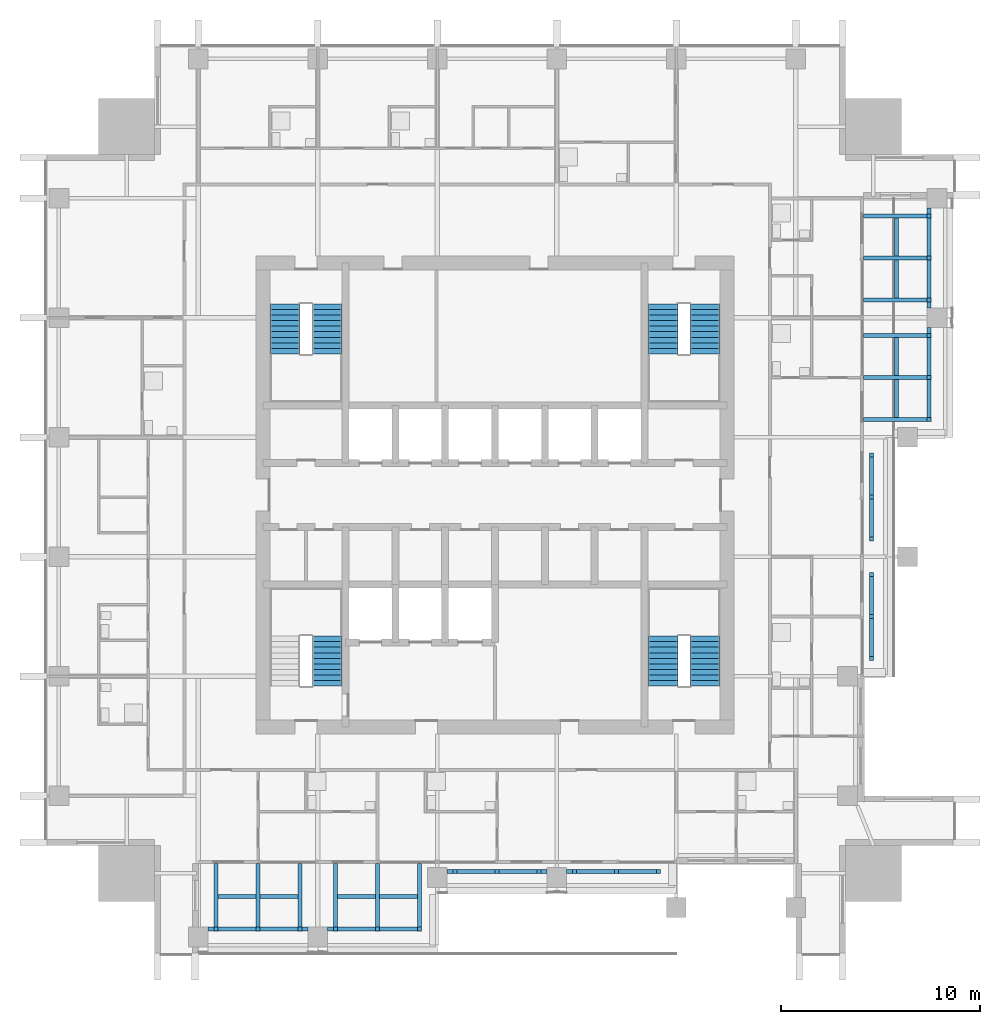
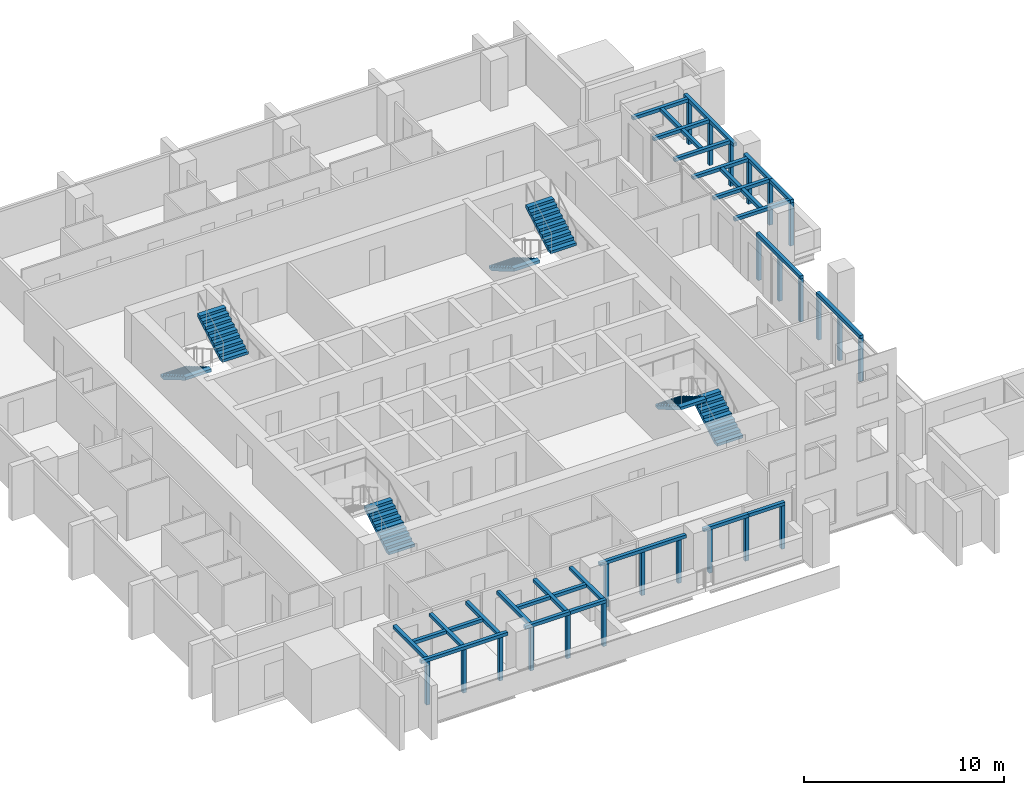
# One storey, part 13 of 16: 55 discrete accessories, 7 stair flights, 4 elements without a shape of their own.
"""IFC4 building model written with IfcOpenShell, lengths in metres."""

import ifcopenshell
import ifcopenshell.guid

model = None  # the IFC model being written
_history = None  # IfcOwnerHistory: only IFC2X3 demands one
_inside = {}  # id of a spatial element -> (the spatial element, [elements in it])
_under = {}  # id of a project, library or spatial element -> (it, [spatial elements below it])
_declared = {}  # id of a project -> (the project, [libraries it declares])
_typed = {}  # id of a type object -> (the type object, [elements of that type])
_made_of = {}  # id of a material, layer set ... -> (it, [elements and type objects made of it])


def new_model(schema):
    """Start an empty IFC model of exactly this schema.

    Asked for "IFC4X3", IfcOpenShell would pick the latest addendum, in which some entities
    have other attributes; the version numbers below select the first issue.
    IFC2X3 requires an IfcOwnerHistory on every rooted entity: one is made here for all.
    """
    global model, _history
    if schema == "IFC4X3":
        model = ifcopenshell.file(schema_version=(4, 3, 0, 0))
    else:
        model = ifcopenshell.file(schema=schema)
    _inside.clear()
    _under.clear()
    _declared.clear()
    _typed.clear()
    _made_of.clear()
    _history = None
    if model.schema == "IFC2X3":
        org = make("IfcOrganization", Name="unknown")
        user = make(
            "IfcPersonAndOrganization",
            ThePerson=make("IfcPerson", FamilyName="unknown"),
            TheOrganization=org,
        )
        app = make(
            "IfcApplication",
            ApplicationDeveloper=org,
            Version="unknown",
            ApplicationFullName="unknown",
            ApplicationIdentifier="unknown",
        )
        _history = make(
            "IfcOwnerHistory",
            OwningUser=user,
            OwningApplication=app,
            ChangeAction="ADDED",
            CreationDate=0,
        )
    return model


def make(cls, **values):
    """One entity of the class cls with the attributes given. An attribute that is None is left unset."""
    return model.create_entity(
        cls, **{name: value for name, value in values.items() if value is not None}
    )


def rooted(cls, **values):
    """An entity with a GlobalId (a new one), such as an element, a storey or a relation."""
    return make(cls, GlobalId=ifcopenshell.guid.new(), OwnerHistory=_history, **values)


def si_unit(unit_type, name, prefix=None):
    """IfcSIUnit, for example si_unit("LENGTHUNIT", "METRE", prefix="MILLI")."""
    return make("IfcSIUnit", UnitType=unit_type, Prefix=prefix, Name=name)


def assignment(units):
    """IfcUnitAssignment: the units of a project."""
    return None if units is None else make("IfcUnitAssignment", Units=units)


def point(xyz):
    """IfcCartesianPoint."""
    return None if xyz is None else make("IfcCartesianPoint", Coordinates=xyz)


def direction(xyz):
    """IfcDirection."""
    return None if xyz is None else make("IfcDirection", DirectionRatios=xyz)


def frame(location, z_axis=None, x_axis=None):
    """IfcAxis2Placement3D, a coordinate frame: its origin and axes. An axis left out is left unset."""
    return make(
        "IfcAxis2Placement3D",
        Location=point(location),
        Axis=direction(z_axis),
        RefDirection=direction(x_axis),
    )


def frame_2d(location, x_axis=None):
    """IfcAxis2Placement2D, a coordinate frame in the plane: its origin and x axis."""
    return make(
        "IfcAxis2Placement2D", Location=point(location), RefDirection=direction(x_axis)
    )


def origin():
    """The frame at (0, 0, 0) with its axes left unset."""
    return frame((0.0, 0.0, 0.0))


def origin_2d():
    """The frame at (0, 0) in the plane with its x axis left unset."""
    return frame_2d((0.0, 0.0))


def place(relative_to, where):
    """IfcLocalPlacement: puts the frame where relative to a parent placement (None: the world)."""
    return make(
        "IfcLocalPlacement", PlacementRelTo=relative_to, RelativePlacement=where
    )


def context(
    kind, dimensions, precision=None, world=None, true_north=None, identifier=None
):
    """IfcGeometricRepresentationContext, for example the 3D "Model" context."""
    return make(
        "IfcGeometricRepresentationContext",
        ContextIdentifier=identifier,
        ContextType=kind,
        CoordinateSpaceDimension=dimensions,
        Precision=precision,
        WorldCoordinateSystem=world,
        TrueNorth=true_north,
    )


def subcontext(parent, identifier, kind, view, scale=None):
    """IfcGeometricRepresentationSubContext, for example "Body" below "Model"."""
    return make(
        "IfcGeometricRepresentationSubContext",
        ContextIdentifier=identifier,
        ContextType=kind,
        ParentContext=parent,
        TargetScale=scale,
        TargetView=view,
    )


def project(units=None, contexts=None):
    """IfcProject with its units and contexts."""
    return rooted(
        "IfcProject",
        Name="project",
        RepresentationContexts=contexts,
        UnitsInContext=assignment(units),
    )


def spatial(cls, under=None, at=None, **own):
    """A site, building, storey or space (cls), placed at a placement, below another one or the project."""
    s = rooted(cls, ObjectPlacement=at, **own)
    if under is not None:
        _under.setdefault(under.id(), (under, []))[1].append(s)
    return s


def polyline(points):
    """IfcPolyline through the points."""
    return make("IfcPolyline", Points=[point(p) for p in points])


def profile(cls, at=None, kind="AREA", **sizes):
    """A parametric profile (cls). Its sizes go by their IFC names, for example OverallWidth=200.0."""
    return make(cls, ProfileType=kind, Position=at, **sizes)


def rectangle(**sizes):
    """IfcRectangleProfileDef."""
    return profile("IfcRectangleProfileDef", **sizes)


def outline(outer, holes=None, kind="AREA"):
    """IfcArbitraryClosedProfileDef: a profile drawn as a closed curve; with holes, ...WithVoids."""
    if holes is None:
        return make("IfcArbitraryClosedProfileDef", ProfileType=kind, OuterCurve=outer)
    return make(
        "IfcArbitraryProfileDefWithVoids",
        ProfileType=kind,
        OuterCurve=outer,
        InnerCurves=holes,
    )


def extrude(swept, where, along, depth):
    """IfcExtrudedAreaSolid: the profile swept, set in the frame where, extruded along a direction by depth."""
    return make(
        "IfcExtrudedAreaSolid",
        SweptArea=swept,
        Position=where,
        ExtrudedDirection=direction(along),
        Depth=depth,
    )


def shape(context_of_items, identifier, shape_type, items):
    """IfcShapeRepresentation: the items that make up one representation, for example the "Body"."""
    return make(
        "IfcShapeRepresentation",
        ContextOfItems=context_of_items,
        RepresentationIdentifier=identifier,
        RepresentationType=shape_type,
        Items=items,
    )


def material(Name=None, Category=None):
    """IfcMaterial."""
    return make("IfcMaterial", Name=Name, Category=Category)


def made_of(thing, what):
    """Note that an element or type object is made of a material, layer set ...; save() writes the relation."""
    if what is not None:
        _made_of.setdefault(what.id(), (what, []))[1].append(thing)
    return thing


def type_object(cls, material=None, **own):
    """A type object (cls), such as IfcWallType, which elements share."""
    return made_of(rooted(cls, **own), material)


def element(
    cls,
    number,
    at=None,
    inside=None,
    cuts=None,
    type_object=None,
    material=None,
    context=None,
    identifier="Body",
    shape_type=None,
    held_by="IfcProductDefinitionShape",
    body=None,
    shapes=None,
    **own,
):
    """One element of the class cls, such as IfcWall. Its Tag is "e" and its number.

    at: its placement. inside: the storey or other place that contains it. cuts: it is an
    opening in that element (IfcRelVoidsElement). A single representation is given by context,
    identifier, shape_type and body (its items); several are given by shapes. held_by: the class
    of the entity that holds the representations. save() writes the other relations.
    """
    e = rooted(cls, Tag="e%d" % number, ObjectPlacement=at, **own)
    if body is not None:
        shapes = [shape(context, identifier, shape_type, body)]
    if shapes is not None:
        e.Representation = make(held_by, Representations=shapes)
    if inside is not None:
        _inside.setdefault(inside.id(), (inside, []))[1].append(e)
    if cuts is not None:
        rooted(
            "IfcRelVoidsElement", RelatingBuildingElement=cuts, RelatedOpeningElement=e
        )
    if type_object is not None:
        _typed.setdefault(type_object.id(), (type_object, []))[1].append(e)
    return made_of(e, material)


def aggregate(whole, parts):
    """IfcRelAggregates: a whole, such as a stair, and the parts it consists of."""
    return rooted("IfcRelAggregates", RelatingObject=whole, RelatedObjects=parts)


def save(model, path):
    """Write the relations noted so far, then the file.

    IfcRelAggregates (storeys below a building ...), IfcRelContainedInSpatialStructure (elements
    in a storey), IfcRelDefinesByType, IfcRelAssociatesMaterial and IfcRelDeclares: one each for
    every whole, place, type object, material and project.
    """
    for whole, parts in _under.values():
        aggregate(whole, parts)
    for where, things in _inside.values():
        rooted(
            "IfcRelContainedInSpatialStructure",
            RelatedElements=things,
            RelatingStructure=where,
        )
    for kind, things in _typed.values():
        rooted("IfcRelDefinesByType", RelatedObjects=things, RelatingType=kind)
    for what, things in _made_of.values():
        rooted("IfcRelAssociatesMaterial", RelatedObjects=things, RelatingMaterial=what)
    for by, libraries in _declared.values():
        rooted("IfcRelDeclares", RelatingContext=by, RelatedDefinitions=libraries)
    model.write(path)


model = new_model("IFC4")

# Units and contexts
model_context = context("Model", 3, precision=1e-05, world=origin(), true_north=direction((0.0, 1.0)))
body_context = subcontext(model_context, "Body", "Model", "MODEL_VIEW")
ifc_project = project(units=[si_unit("LENGTHUNIT", "METRE"), si_unit("AREAUNIT", "SQUARE_METRE"), si_unit("VOLUMEUNIT", "CUBIC_METRE"), si_unit("PLANEANGLEUNIT", "RADIAN"), si_unit("MASSUNIT", "GRAM", prefix="KILO")], contexts=[model_context])

# Site, building, storey
site_placement = place(None, origin())
site = spatial("IfcSite", under=ifc_project, at=site_placement, CompositionType="ELEMENT")
building_placement = place(site_placement, origin())
building = spatial("IfcBuilding", under=site, at=building_placement, Name="Amberfall Residences", CompositionType="ELEMENT")
storey_placement = place(building_placement, frame((0.0, 0.0, 164.800048828125)))
storey = spatial("IfcBuildingStorey", under=building, at=storey_placement, Name="L44", CompositionType="ELEMENT", Elevation=164.800048828125)

# Stair, stair flight
ifc_material = material(Name="Concrete C40", Category="concrete")
stair_type = type_object("IfcStairType", Name="Exit stair 20 risers 165.0 mm", PredefinedType="HALF_TURN_STAIR", material=ifc_material)
stair_1_placement = place(storey_placement, origin())
stair_1 = element("IfcStair", 1, at=stair_1_placement, inside=storey, type_object=stair_type, Name="L44 Exit stair 1", PredefinedType="HALF_TURN_STAIR")
stair_flight_type = type_object("IfcStairFlightType", Name="Stair flight 10 risers 165.0 mm", PredefinedType="STRAIGHT", material=ifc_material)
stair_flight_1_placement = place(storey_placement, frame((66.074951171875, 35.89990234375, 0.0), z_axis=(0.0, 0.0, 1.0), x_axis=(0.0, 1.0, 0.0)))
stair_flight_1 = element("IfcStairFlight", 2, at=stair_flight_1_placement, type_object=stair_flight_type, Name="ST3 flight 1", NumberOfRisers=10, NumberOfTreads=9, PredefinedType="STRAIGHT", RiserHeight=0.165, TreadLength=0.28, context=body_context, shape_type="SweptSolid", body=[
    extrude(outline(polyline([(0.0, 0.0), (0.0, 0.1650390625), (0.280029296875, 0.1650390625), (0.280029296875, 0.330078125), (0.56005859375, 0.330078125), (0.56005859375, 0.4951171875), (0.840087890625, 0.4951171875), (0.840087890625, 0.659912109375), (1.1201171875, 0.659912109375), (1.1201171875, 0.824951171875), (1.39990234375, 0.824951171875), (1.39990234375, 0.989990234375), (1.679931640625, 0.989990234375), (1.679931640625, 1.155029296875), (1.9599609375, 1.155029296875), (1.9599609375, 1.320068359375), (2.239990234375, 1.320068359375), (2.239990234375, 1.485107421875), (2.52001953125, 1.485107421875), (2.52001953125, 1.64990234375), (2.52001953125, 1.31103515625), (0.295166015625, 0.0), (0.0, 0.0)])), frame((0.0, 0.75, 0.0), z_axis=(0.0, -1.0, 0.0), x_axis=(1.0, 0.0, 0.0)), (0.0, 0.0, 1.0), 1.5),
])
aggregate(stair_1, [stair_flight_1])

# Stair, stair flights
stair_2_placement = place(storey_placement, origin())
stair_2 = element("IfcStair", 3, at=stair_2_placement, inside=storey, type_object=stair_type, Name="L44 Exit stair 2", PredefinedType="HALF_TURN_STAIR")
stair_flight_2_placement = place(storey_placement, frame((85.050048828125, 35.89990234375, 0.0), z_axis=(0.0, 0.0, 1.0), x_axis=(0.0, 1.0, 0.0)))
stair_flight_2 = element("IfcStairFlight", 4, at=stair_flight_2_placement, type_object=stair_flight_type, Name="ST3 flight 1", NumberOfRisers=10, NumberOfTreads=9, PredefinedType="STRAIGHT", RiserHeight=0.165, TreadLength=0.28, context=body_context, shape_type="SweptSolid", body=[
    extrude(outline(polyline([(0.0, 0.0), (0.0, 0.1650390625), (0.280029296875, 0.1650390625), (0.280029296875, 0.330078125), (0.56005859375, 0.330078125), (0.56005859375, 0.4951171875), (0.840087890625, 0.4951171875), (0.840087890625, 0.659912109375), (1.1201171875, 0.659912109375), (1.1201171875, 0.824951171875), (1.39990234375, 0.824951171875), (1.39990234375, 0.989990234375), (1.679931640625, 0.989990234375), (1.679931640625, 1.155029296875), (1.9599609375, 1.155029296875), (1.9599609375, 1.320068359375), (2.239990234375, 1.320068359375), (2.239990234375, 1.485107421875), (2.52001953125, 1.485107421875), (2.52001953125, 1.64990234375), (2.52001953125, 1.31103515625), (0.295166015625, 0.0), (0.0, 0.0)])), frame((0.0, 0.75, 0.0), z_axis=(0.0, -1.0, 0.0), x_axis=(1.0, 0.0, 0.0)), (0.0, 0.0, 1.0), 1.5),
])
stair_flight_3_placement = place(storey_placement, frame((82.925048828125, 38.419921875, 1.64990234375), z_axis=(0.0, 0.0, 1.0), x_axis=(0.0, -1.0, 0.0)))
stair_flight_3 = element("IfcStairFlight", 5, at=stair_flight_3_placement, type_object=stair_flight_type, Name="ST3 flight 2", NumberOfRisers=10, NumberOfTreads=9, PredefinedType="STRAIGHT", RiserHeight=0.165, TreadLength=0.28, context=body_context, shape_type="SweptSolid", body=[
    extrude(outline(polyline([(0.0, 0.0), (0.0, 0.1650390625), (0.280029296875, 0.1650390625), (0.280029296875, 0.330078125), (0.56005859375, 0.330078125), (0.56005859375, 0.4951171875), (0.840087890625, 0.4951171875), (0.840087890625, 0.659912109375), (1.1201171875, 0.659912109375), (1.1201171875, 0.824951171875), (1.39990234375, 0.824951171875), (1.39990234375, 0.989990234375), (1.679931640625, 0.989990234375), (1.679931640625, 1.155029296875), (1.9599609375, 1.155029296875), (1.9599609375, 1.320068359375), (2.239990234375, 1.320068359375), (2.239990234375, 1.485107421875), (2.52001953125, 1.485107421875), (2.52001953125, 1.64990234375), (2.52001953125, 1.31103515625), (0.295166015625, 0.0), (0.0, 0.0)])), frame((0.0, 0.75, 0.0), z_axis=(0.0, -1.0, 0.0), x_axis=(1.0, 0.0, 0.0)), (0.0, 0.0, 1.0), 1.5),
])
aggregate(stair_2, [stair_flight_2, stair_flight_3])

stair_3_placement = place(storey_placement, origin())
stair_3 = element("IfcStair", 6, at=stair_3_placement, inside=storey, type_object=stair_type, Name="L44 Exit stair 3", PredefinedType="HALF_TURN_STAIR")
stair_flight_4_placement = place(storey_placement, frame((82.925048828125, 55.10009765625, 0.0), z_axis=(0.0, 0.0, 1.0), x_axis=(0.0, -1.0, 0.0)))
stair_flight_4 = element("IfcStairFlight", 7, at=stair_flight_4_placement, type_object=stair_flight_type, Name="ST3 flight 1", NumberOfRisers=10, NumberOfTreads=9, PredefinedType="STRAIGHT", RiserHeight=0.165, TreadLength=0.28, context=body_context, shape_type="SweptSolid", body=[
    extrude(outline(polyline([(0.0, 0.0), (0.0, 0.1650390625), (0.280029296875, 0.1650390625), (0.280029296875, 0.330078125), (0.56005859375, 0.330078125), (0.56005859375, 0.4951171875), (0.840087890625, 0.4951171875), (0.840087890625, 0.659912109375), (1.1201171875, 0.659912109375), (1.1201171875, 0.824951171875), (1.39990234375, 0.824951171875), (1.39990234375, 0.989990234375), (1.679931640625, 0.989990234375), (1.679931640625, 1.155029296875), (1.9599609375, 1.155029296875), (1.9599609375, 1.320068359375), (2.239990234375, 1.320068359375), (2.239990234375, 1.485107421875), (2.52001953125, 1.485107421875), (2.52001953125, 1.64990234375), (2.52001953125, 1.31103515625), (0.295166015625, 0.0), (0.0, 0.0)])), frame((0.0, 0.75, 0.0), z_axis=(0.0, -1.0, 0.0), x_axis=(1.0, 0.0, 0.0)), (0.0, 0.0, 1.0), 1.5),
])
stair_flight_5_placement = place(storey_placement, frame((85.050048828125, 52.580078125, 1.64990234375), z_axis=(0.0, 0.0, 1.0), x_axis=(0.0, 1.0, 0.0)))
stair_flight_5 = element("IfcStairFlight", 8, at=stair_flight_5_placement, type_object=stair_flight_type, Name="ST3 flight 2", NumberOfRisers=10, NumberOfTreads=9, PredefinedType="STRAIGHT", RiserHeight=0.165, TreadLength=0.28, context=body_context, shape_type="SweptSolid", body=[
    extrude(outline(polyline([(0.0, 0.0), (0.0, 0.1650390625), (0.280029296875, 0.1650390625), (0.280029296875, 0.330078125), (0.56005859375, 0.330078125), (0.56005859375, 0.4951171875), (0.840087890625, 0.4951171875), (0.840087890625, 0.659912109375), (1.1201171875, 0.659912109375), (1.1201171875, 0.824951171875), (1.39990234375, 0.824951171875), (1.39990234375, 0.989990234375), (1.679931640625, 0.989990234375), (1.679931640625, 1.155029296875), (1.9599609375, 1.155029296875), (1.9599609375, 1.320068359375), (2.239990234375, 1.320068359375), (2.239990234375, 1.485107421875), (2.52001953125, 1.485107421875), (2.52001953125, 1.64990234375), (2.52001953125, 1.31103515625), (0.295166015625, 0.0), (0.0, 0.0)])), frame((0.0, 0.75, 0.0), z_axis=(0.0, -1.0, 0.0), x_axis=(1.0, 0.0, 0.0)), (0.0, 0.0, 1.0), 1.5),
])
aggregate(stair_3, [stair_flight_4, stair_flight_5])

stair_4_placement = place(storey_placement, origin())
stair_4 = element("IfcStair", 9, at=stair_4_placement, inside=storey, type_object=stair_type, Name="L44 Exit stair 4", PredefinedType="HALF_TURN_STAIR")
stair_flight_6_placement = place(storey_placement, frame((63.949951171875, 55.10009765625, 0.0), z_axis=(0.0, 0.0, 1.0), x_axis=(0.0, -1.0, 0.0)))
stair_flight_6 = element("IfcStairFlight", 10, at=stair_flight_6_placement, type_object=stair_flight_type, Name="ST3 flight 1", NumberOfRisers=10, NumberOfTreads=9, PredefinedType="STRAIGHT", RiserHeight=0.165, TreadLength=0.28, context=body_context, shape_type="SweptSolid", body=[
    extrude(outline(polyline([(0.0, 0.0), (0.0, 0.1650390625), (0.280029296875, 0.1650390625), (0.280029296875, 0.330078125), (0.56005859375, 0.330078125), (0.56005859375, 0.4951171875), (0.840087890625, 0.4951171875), (0.840087890625, 0.659912109375), (1.1201171875, 0.659912109375), (1.1201171875, 0.824951171875), (1.39990234375, 0.824951171875), (1.39990234375, 0.989990234375), (1.679931640625, 0.989990234375), (1.679931640625, 1.155029296875), (1.9599609375, 1.155029296875), (1.9599609375, 1.320068359375), (2.239990234375, 1.320068359375), (2.239990234375, 1.485107421875), (2.52001953125, 1.485107421875), (2.52001953125, 1.64990234375), (2.52001953125, 1.31103515625), (0.295166015625, 0.0), (0.0, 0.0)])), frame((0.0, 0.75, 0.0), z_axis=(0.0, -1.0, 0.0), x_axis=(1.0, 0.0, 0.0)), (0.0, 0.0, 1.0), 1.5),
])
stair_flight_7_placement = place(storey_placement, frame((66.074951171875, 52.580078125, 1.64990234375), z_axis=(0.0, 0.0, 1.0), x_axis=(0.0, 1.0, 0.0)))
stair_flight_7 = element("IfcStairFlight", 11, at=stair_flight_7_placement, type_object=stair_flight_type, Name="ST3 flight 2", NumberOfRisers=10, NumberOfTreads=9, PredefinedType="STRAIGHT", RiserHeight=0.165, TreadLength=0.28, context=body_context, shape_type="SweptSolid", body=[
    extrude(outline(polyline([(0.0, 0.0), (0.0, 0.1650390625), (0.280029296875, 0.1650390625), (0.280029296875, 0.330078125), (0.56005859375, 0.330078125), (0.56005859375, 0.4951171875), (0.840087890625, 0.4951171875), (0.840087890625, 0.659912109375), (1.1201171875, 0.659912109375), (1.1201171875, 0.824951171875), (1.39990234375, 0.824951171875), (1.39990234375, 0.989990234375), (1.679931640625, 0.989990234375), (1.679931640625, 1.155029296875), (1.9599609375, 1.155029296875), (1.9599609375, 1.320068359375), (2.239990234375, 1.320068359375), (2.239990234375, 1.485107421875), (2.52001953125, 1.485107421875), (2.52001953125, 1.64990234375), (2.52001953125, 1.31103515625), (0.295166015625, 0.0), (0.0, 0.0)])), frame((0.0, 0.75, 0.0), z_axis=(0.0, -1.0, 0.0), x_axis=(1.0, 0.0, 0.0)), (0.0, 0.0, 1.0), 1.5),
])
aggregate(stair_4, [stair_flight_6, stair_flight_7])

# Discrete accessories
for number, where, z_axis, x_axis, name in (
    (12, (60.5, 23.699951171875, 0.0), (0.0, 0.0, 1.0), (1.0, 0.0, 0.0), "Trellis post L44 S1.1"),
    (13, (62.60009765625, 23.699951171875, 0.0), (0.0, 0.0, 1.0), (1.0, 0.0, 0.0), "Trellis post L44 S1.2"),
    (14, (64.699951171875, 23.699951171875, 0.0), (0.0, 0.0, 1.0), (1.0, 0.0, 0.0), "Trellis post L44 S1.3"),
):
    element("IfcDiscreteAccessory", number, at=place(storey_placement, frame(where, z_axis=z_axis, x_axis=x_axis)), inside=storey, Name=name, ObjectType="TRELLIS POST", PredefinedType="USERDEFINED", context=body_context, shape_type="SweptSolid", body=[
        extrude(rectangle(XDim=0.199951171875, YDim=0.199951171875, at=origin_2d()), origin(), (0.0, 0.0, 1.0), 2.6298828125),
    ])
discrete_accessory_1_placement = place(storey_placement, frame((62.60009765625, 23.699951171875, 2.6298828125), z_axis=(0.0, 0.0, 1.0), x_axis=(1.0, 0.0, 0.0)))
element("IfcDiscreteAccessory", 15, at=discrete_accessory_1_placement, inside=storey, Name="Trellis beam L44 S1.e1", ObjectType="TRELLIS BEAM", PredefinedType="USERDEFINED", context=body_context, shape_type="SweptSolid", body=[
    extrude(rectangle(XDim=5.0, YDim=0.199951171875, at=origin_2d()), origin(), (0.0, 0.0, 1.0), 0.199951171875),
])
for number, where, z_axis, x_axis, name in (
    (16, (61.550048828125, 25.35009765625, 2.6298828125), (0.0, 0.0, 1.0), (1.0, 0.0, 0.0), "Trellis beam L44 S1.c1.1"),
    (17, (63.64990234375, 25.35009765625, 2.6298828125), (0.0, 0.0, 1.0), (1.0, 0.0, 0.0), "Trellis beam L44 S1.c1.2"),
):
    element("IfcDiscreteAccessory", number, at=place(storey_placement, frame(where, z_axis=z_axis, x_axis=x_axis)), inside=storey, Name=name, ObjectType="TRELLIS BEAM", PredefinedType="USERDEFINED", context=body_context, shape_type="SweptSolid", body=[
        extrude(rectangle(XDim=1.89990234375, YDim=0.199951171875, at=origin_2d()), origin(), (0.0, 0.0, 1.0), 0.199951171875),
    ])
for number, where, z_axis, x_axis, name in (
    (18, (60.5, 25.39990234375, 2.6298828125), (0.0, 0.0, 1.0), (0.0, 1.0, 0.0), "Trellis beam L44 S1.b1"),
    (19, (62.60009765625, 25.39990234375, 2.6298828125), (0.0, 0.0, 1.0), (0.0, 1.0, 0.0), "Trellis beam L44 S1.b2"),
    (20, (64.699951171875, 25.39990234375, 2.6298828125), (0.0, 0.0, 1.0), (0.0, 1.0, 0.0), "Trellis beam L44 S1.b3"),
):
    element("IfcDiscreteAccessory", number, at=place(storey_placement, frame(where, z_axis=z_axis, x_axis=x_axis)), inside=storey, Name=name, ObjectType="TRELLIS BEAM", PredefinedType="USERDEFINED", context=body_context, shape_type="SweptSolid", body=[
        extrude(rectangle(XDim=3.199951171875, YDim=0.199951171875, at=origin_2d()), origin(), (0.0, 0.0, 1.0), 0.199951171875),
    ])
for number, where, z_axis, x_axis, name in (
    (21, (66.5, 23.699951171875, 0.0), (0.0, 0.0, 1.0), (1.0, 0.0, 0.0), "Trellis post L44 S2.1"),
    (22, (68.60009765625, 23.699951171875, 0.0), (0.0, 0.0, 1.0), (1.0, 0.0, 0.0), "Trellis post L44 S2.2"),
    (23, (70.699951171875, 23.699951171875, 0.0), (0.0, 0.0, 1.0), (1.0, 0.0, 0.0), "Trellis post L44 S2.3"),
):
    element("IfcDiscreteAccessory", number, at=place(storey_placement, frame(where, z_axis=z_axis, x_axis=x_axis)), inside=storey, Name=name, ObjectType="TRELLIS POST", PredefinedType="USERDEFINED", context=body_context, shape_type="SweptSolid", body=[
        extrude(rectangle(XDim=0.199951171875, YDim=0.199951171875, at=origin_2d()), origin(), (0.0, 0.0, 1.0), 2.6298828125),
    ])
discrete_accessory_2_placement = place(storey_placement, frame((67.39990234375, 23.699951171875, 2.6298828125), z_axis=(0.0, 0.0, 1.0), x_axis=(1.0, 0.0, 0.0)))
element("IfcDiscreteAccessory", 24, at=discrete_accessory_2_placement, inside=storey, Name="Trellis beam L44 S2.e1", ObjectType="TRELLIS BEAM", PredefinedType="USERDEFINED", context=body_context, shape_type="SweptSolid", body=[
    extrude(rectangle(XDim=2.60009765625, YDim=0.199951171875, at=origin_2d()), origin(), (0.0, 0.0, 1.0), 0.199951171875),
])
discrete_accessory_3_placement = place(storey_placement, frame((69.75, 23.699951171875, 2.6298828125), z_axis=(0.0, 0.0, 1.0), x_axis=(1.0, 0.0, 0.0)))
element("IfcDiscreteAccessory", 25, at=discrete_accessory_3_placement, inside=storey, Name="Trellis beam L44 S2.e1.2", ObjectType="TRELLIS BEAM", PredefinedType="USERDEFINED", context=body_context, shape_type="SweptSolid", body=[
    extrude(rectangle(XDim=2.10009765625, YDim=0.199951171875, at=origin_2d()), origin(), (0.0, 0.0, 1.0), 0.199951171875),
])
for number, where, z_axis, x_axis, name in (
    (26, (67.550048828125, 25.35009765625, 2.6298828125), (0.0, 0.0, 1.0), (1.0, 0.0, 0.0), "Trellis beam L44 S2.c1.1"),
    (27, (69.64990234375, 25.35009765625, 2.6298828125), (0.0, 0.0, 1.0), (1.0, 0.0, 0.0), "Trellis beam L44 S2.c1.2"),
):
    element("IfcDiscreteAccessory", number, at=place(storey_placement, frame(where, z_axis=z_axis, x_axis=x_axis)), inside=storey, Name=name, ObjectType="TRELLIS BEAM", PredefinedType="USERDEFINED", context=body_context, shape_type="SweptSolid", body=[
        extrude(rectangle(XDim=1.89990234375, YDim=0.199951171875, at=origin_2d()), origin(), (0.0, 0.0, 1.0), 0.199951171875),
    ])
for number, where, z_axis, x_axis, name in (
    (28, (66.5, 25.39990234375, 2.6298828125), (0.0, 0.0, 1.0), (0.0, 1.0, 0.0), "Trellis beam L44 S2.b1"),
    (29, (68.60009765625, 25.39990234375, 2.6298828125), (0.0, 0.0, 1.0), (0.0, 1.0, 0.0), "Trellis beam L44 S2.b2"),
    (30, (70.699951171875, 25.39990234375, 2.6298828125), (0.0, 0.0, 1.0), (0.0, 1.0, 0.0), "Trellis beam L44 S2.b3"),
):
    element("IfcDiscreteAccessory", number, at=place(storey_placement, frame(where, z_axis=z_axis, x_axis=x_axis)), inside=storey, Name=name, ObjectType="TRELLIS BEAM", PredefinedType="USERDEFINED", context=body_context, shape_type="SweptSolid", body=[
        extrude(rectangle(XDim=3.199951171875, YDim=0.199951171875, at=origin_2d()), origin(), (0.0, 0.0, 1.0), 0.199951171875),
    ])
for number, where, z_axis, x_axis, name in (
    (31, (72.5, 26.60009765625, 0.0), (0.0, 0.0, 1.0), (1.0, 0.0, 0.0), "Trellis post L44 S3.1"),
    (32, (74.60009765625, 26.60009765625, 0.0), (0.0, 0.0, 1.0), (1.0, 0.0, 0.0), "Trellis post L44 S3.2"),
    (33, (76.699951171875, 26.60009765625, 0.0), (0.0, 0.0, 1.0), (1.0, 0.0, 0.0), "Trellis post L44 S3.3"),
):
    element("IfcDiscreteAccessory", number, at=place(storey_placement, frame(where, z_axis=z_axis, x_axis=x_axis)), inside=storey, Name=name, ObjectType="TRELLIS POST", PredefinedType="USERDEFINED", context=body_context, shape_type="SweptSolid", body=[
        extrude(rectangle(XDim=0.199951171875, YDim=0.199951171875, at=origin_2d()), origin(), (0.0, 0.0, 1.0), 2.6298828125),
    ])
discrete_accessory_4_placement = place(storey_placement, frame((74.60009765625, 26.60009765625, 2.6298828125), z_axis=(0.0, 0.0, 1.0), x_axis=(1.0, 0.0, 0.0)))
element("IfcDiscreteAccessory", 34, at=discrete_accessory_4_placement, inside=storey, Name="Trellis beam L44 S3.e1", ObjectType="TRELLIS BEAM", PredefinedType="USERDEFINED", context=body_context, shape_type="SweptSolid", body=[
    extrude(rectangle(XDim=5.0, YDim=0.199951171875, at=origin_2d()), origin(), (0.0, 0.0, 1.0), 0.199951171875),
])
for number, where, z_axis, x_axis, name in (
    (35, (78.5, 26.60009765625, 0.0), (0.0, 0.0, 1.0), (1.0, 0.0, 0.0), "Trellis post L44 S4.1"),
    (36, (80.60009765625, 26.60009765625, 0.0), (0.0, 0.0, 1.0), (1.0, 0.0, 0.0), "Trellis post L44 S4.2"),
    (37, (82.699951171875, 26.60009765625, 0.0), (0.0, 0.0, 1.0), (1.0, 0.0, 0.0), "Trellis post L44 S4.3"),
):
    element("IfcDiscreteAccessory", number, at=place(storey_placement, frame(where, z_axis=z_axis, x_axis=x_axis)), inside=storey, Name=name, ObjectType="TRELLIS POST", PredefinedType="USERDEFINED", context=body_context, shape_type="SweptSolid", body=[
        extrude(rectangle(XDim=0.199951171875, YDim=0.199951171875, at=origin_2d()), origin(), (0.0, 0.0, 1.0), 2.6298828125),
    ])
discrete_accessory_5_placement = place(storey_placement, frame((79.39990234375, 26.60009765625, 2.6298828125), z_axis=(0.0, 0.0, 1.0), x_axis=(1.0, 0.0, 0.0)))
element("IfcDiscreteAccessory", 38, at=discrete_accessory_5_placement, inside=storey, Name="Trellis beam L44 S4.e1", ObjectType="TRELLIS BEAM", PredefinedType="USERDEFINED", context=body_context, shape_type="SweptSolid", body=[
    extrude(rectangle(XDim=2.60009765625, YDim=0.199951171875, at=origin_2d()), origin(), (0.0, 0.0, 1.0), 0.199951171875),
])
discrete_accessory_6_placement = place(storey_placement, frame((81.75, 26.60009765625, 2.6298828125), z_axis=(0.0, 0.0, 1.0), x_axis=(1.0, 0.0, 0.0)))
element("IfcDiscreteAccessory", 39, at=discrete_accessory_6_placement, inside=storey, Name="Trellis beam L44 S4.e1.2", ObjectType="TRELLIS BEAM", PredefinedType="USERDEFINED", context=body_context, shape_type="SweptSolid", body=[
    extrude(rectangle(XDim=2.10009765625, YDim=0.199951171875, at=origin_2d()), origin(), (0.0, 0.0, 1.0), 0.199951171875),
])
for number, where, z_axis, x_axis, name in (
    (40, (93.39990234375, 37.300048828125, 0.0), (0.0, 0.0, 1.0), (1.0, 0.0, 0.0), "Trellis post L44 E2.1"),
    (41, (93.39990234375, 39.39990234375, 0.0), (0.0, 0.0, 1.0), (1.0, 0.0, 0.0), "Trellis post L44 E2.2"),
    (42, (93.39990234375, 41.5, 0.0), (0.0, 0.0, 1.0), (1.0, 0.0, 0.0), "Trellis post L44 E2.3"),
):
    element("IfcDiscreteAccessory", number, at=place(storey_placement, frame(where, z_axis=z_axis, x_axis=x_axis)), inside=storey, Name=name, ObjectType="TRELLIS POST", PredefinedType="USERDEFINED", context=body_context, shape_type="SweptSolid", body=[
        extrude(rectangle(XDim=0.199951171875, YDim=0.199951171875, at=origin_2d()), origin(), (0.0, 0.0, 1.0), 2.6298828125),
    ])
discrete_accessory_7_placement = place(storey_placement, frame((93.39990234375, 39.39990234375, 2.6298828125), z_axis=(0.0, 0.0, 1.0), x_axis=(0.0, 1.0, 0.0)))
element("IfcDiscreteAccessory", 43, at=discrete_accessory_7_placement, inside=storey, Name="Trellis beam L44 E2.e1", ObjectType="TRELLIS BEAM", PredefinedType="USERDEFINED", context=body_context, shape_type="SweptSolid", body=[
    extrude(rectangle(XDim=4.39990234375, YDim=0.199951171875, at=origin_2d()), origin(), (0.0, 0.0, 1.0), 0.199951171875),
])
for number, where, z_axis, x_axis, name in (
    (44, (93.39990234375, 43.300048828125, 0.0), (0.0, 0.0, 1.0), (1.0, 0.0, 0.0), "Trellis post L44 E3.1"),
    (45, (93.39990234375, 45.39990234375, 0.0), (0.0, 0.0, 1.0), (1.0, 0.0, 0.0), "Trellis post L44 E3.2"),
    (46, (93.39990234375, 47.5, 0.0), (0.0, 0.0, 1.0), (1.0, 0.0, 0.0), "Trellis post L44 E3.3"),
):
    element("IfcDiscreteAccessory", number, at=place(storey_placement, frame(where, z_axis=z_axis, x_axis=x_axis)), inside=storey, Name=name, ObjectType="TRELLIS POST", PredefinedType="USERDEFINED", context=body_context, shape_type="SweptSolid", body=[
        extrude(rectangle(XDim=0.199951171875, YDim=0.199951171875, at=origin_2d()), origin(), (0.0, 0.0, 1.0), 2.6298828125),
    ])
discrete_accessory_8_placement = place(storey_placement, frame((93.39990234375, 45.39990234375, 2.6298828125), z_axis=(0.0, 0.0, 1.0), x_axis=(0.0, 1.0, 0.0)))
element("IfcDiscreteAccessory", 47, at=discrete_accessory_8_placement, inside=storey, Name="Trellis beam L44 E3.e1", ObjectType="TRELLIS BEAM", PredefinedType="USERDEFINED", context=body_context, shape_type="SweptSolid", body=[
    extrude(rectangle(XDim=4.39990234375, YDim=0.199951171875, at=origin_2d()), origin(), (0.0, 0.0, 1.0), 0.199951171875),
])
for number, where, z_axis, x_axis, name in (
    (48, (96.300048828125, 49.300048828125, 0.0), (0.0, 0.0, 1.0), (1.0, 0.0, 0.0), "Trellis post L44 E4.1"),
    (49, (96.300048828125, 51.39990234375, 0.0), (0.0, 0.0, 1.0), (1.0, 0.0, 0.0), "Trellis post L44 E4.2"),
    (50, (96.300048828125, 53.5, 0.0), (0.0, 0.0, 1.0), (1.0, 0.0, 0.0), "Trellis post L44 E4.3"),
):
    element("IfcDiscreteAccessory", number, at=place(storey_placement, frame(where, z_axis=z_axis, x_axis=x_axis)), inside=storey, Name=name, ObjectType="TRELLIS POST", PredefinedType="USERDEFINED", context=body_context, shape_type="SweptSolid", body=[
        extrude(rectangle(XDim=0.199951171875, YDim=0.199951171875, at=origin_2d()), origin(), (0.0, 0.0, 1.0), 2.6298828125),
    ])
discrete_accessory_9_placement = place(storey_placement, frame((96.300048828125, 52.60009765625, 2.6298828125), z_axis=(0.0, 0.0, 1.0), x_axis=(0.0, 1.0, 0.0)))
element("IfcDiscreteAccessory", 51, at=discrete_accessory_9_placement, inside=storey, Name="Trellis beam L44 E4.e1", ObjectType="TRELLIS BEAM", PredefinedType="USERDEFINED", context=body_context, shape_type="SweptSolid", body=[
    extrude(rectangle(XDim=2.60009765625, YDim=0.199951171875, at=origin_2d()), origin(), (0.0, 0.0, 1.0), 0.199951171875),
])
discrete_accessory_10_placement = place(storey_placement, frame((96.300048828125, 50.25, 2.6298828125), z_axis=(0.0, 0.0, 1.0), x_axis=(0.0, 1.0, 0.0)))
element("IfcDiscreteAccessory", 52, at=discrete_accessory_10_placement, inside=storey, Name="Trellis beam L44 E4.e1.2", ObjectType="TRELLIS BEAM", PredefinedType="USERDEFINED", context=body_context, shape_type="SweptSolid", body=[
    extrude(rectangle(XDim=2.10009765625, YDim=0.199951171875, at=origin_2d()), origin(), (0.0, 0.0, 1.0), 0.199951171875),
])
for number, where, z_axis, x_axis, name in (
    (53, (94.64990234375, 50.35009765625, 2.6298828125), (0.0, 0.0, 1.0), (0.0, 1.0, 0.0), "Trellis beam L44 E4.c1.1"),
    (54, (94.64990234375, 52.449951171875, 2.6298828125), (0.0, 0.0, 1.0), (0.0, 1.0, 0.0), "Trellis beam L44 E4.c1.2"),
):
    element("IfcDiscreteAccessory", number, at=place(storey_placement, frame(where, z_axis=z_axis, x_axis=x_axis)), inside=storey, Name=name, ObjectType="TRELLIS BEAM", PredefinedType="USERDEFINED", context=body_context, shape_type="SweptSolid", body=[
        extrude(rectangle(XDim=1.89990234375, YDim=0.199951171875, at=origin_2d()), origin(), (0.0, 0.0, 1.0), 0.199951171875),
    ])
for number, where, z_axis, x_axis, name in (
    (55, (94.60009765625, 49.300048828125, 2.6298828125), (0.0, 0.0, 1.0), (-1.0, 0.0, 0.0), "Trellis beam L44 E4.b1"),
    (56, (94.60009765625, 51.39990234375, 2.6298828125), (0.0, 0.0, 1.0), (-1.0, 0.0, 0.0), "Trellis beam L44 E4.b2"),
    (57, (94.60009765625, 53.5, 2.6298828125), (0.0, 0.0, 1.0), (-1.0, 0.0, 0.0), "Trellis beam L44 E4.b3"),
):
    element("IfcDiscreteAccessory", number, at=place(storey_placement, frame(where, z_axis=z_axis, x_axis=x_axis)), inside=storey, Name=name, ObjectType="TRELLIS BEAM", PredefinedType="USERDEFINED", context=body_context, shape_type="SweptSolid", body=[
        extrude(rectangle(XDim=3.199951171875, YDim=0.199951171875, at=origin_2d()), origin(), (0.0, 0.0, 1.0), 0.199951171875),
    ])
for number, where, z_axis, x_axis, name in (
    (58, (96.300048828125, 55.300048828125, 0.0), (0.0, 0.0, 1.0), (1.0, 0.0, 0.0), "Trellis post L44 E5.1"),
    (59, (96.300048828125, 57.39990234375, 0.0), (0.0, 0.0, 1.0), (1.0, 0.0, 0.0), "Trellis post L44 E5.2"),
    (60, (96.300048828125, 59.5, 0.0), (0.0, 0.0, 1.0), (1.0, 0.0, 0.0), "Trellis post L44 E5.3"),
):
    element("IfcDiscreteAccessory", number, at=place(storey_placement, frame(where, z_axis=z_axis, x_axis=x_axis)), inside=storey, Name=name, ObjectType="TRELLIS POST", PredefinedType="USERDEFINED", context=body_context, shape_type="SweptSolid", body=[
        extrude(rectangle(XDim=0.199951171875, YDim=0.199951171875, at=origin_2d()), origin(), (0.0, 0.0, 1.0), 2.6298828125),
    ])
discrete_accessory_11_placement = place(storey_placement, frame((96.300048828125, 57.39990234375, 2.6298828125), z_axis=(0.0, 0.0, 1.0), x_axis=(0.0, 1.0, 0.0)))
element("IfcDiscreteAccessory", 61, at=discrete_accessory_11_placement, inside=storey, Name="Trellis beam L44 E5.e1", ObjectType="TRELLIS BEAM", PredefinedType="USERDEFINED", context=body_context, shape_type="SweptSolid", body=[
    extrude(rectangle(XDim=5.0, YDim=0.199951171875, at=origin_2d()), origin(), (0.0, 0.0, 1.0), 0.199951171875),
])
for number, where, z_axis, x_axis, name in (
    (62, (94.64990234375, 56.35009765625, 2.6298828125), (0.0, 0.0, 1.0), (0.0, 1.0, 0.0), "Trellis beam L44 E5.c1.1"),
    (63, (94.64990234375, 58.449951171875, 2.6298828125), (0.0, 0.0, 1.0), (0.0, 1.0, 0.0), "Trellis beam L44 E5.c1.2"),
):
    element("IfcDiscreteAccessory", number, at=place(storey_placement, frame(where, z_axis=z_axis, x_axis=x_axis)), inside=storey, Name=name, ObjectType="TRELLIS BEAM", PredefinedType="USERDEFINED", context=body_context, shape_type="SweptSolid", body=[
        extrude(rectangle(XDim=1.89990234375, YDim=0.199951171875, at=origin_2d()), origin(), (0.0, 0.0, 1.0), 0.199951171875),
    ])
for number, where, z_axis, x_axis, name in (
    (64, (94.60009765625, 55.300048828125, 2.6298828125), (0.0, 0.0, 1.0), (-1.0, 0.0, 0.0), "Trellis beam L44 E5.b1"),
    (65, (94.60009765625, 57.39990234375, 2.6298828125), (0.0, 0.0, 1.0), (-1.0, 0.0, 0.0), "Trellis beam L44 E5.b2"),
    (66, (94.60009765625, 59.5, 2.6298828125), (0.0, 0.0, 1.0), (-1.0, 0.0, 0.0), "Trellis beam L44 E5.b3"),
):
    element("IfcDiscreteAccessory", number, at=place(storey_placement, frame(where, z_axis=z_axis, x_axis=x_axis)), inside=storey, Name=name, ObjectType="TRELLIS BEAM", PredefinedType="USERDEFINED", context=body_context, shape_type="SweptSolid", body=[
        extrude(rectangle(XDim=3.199951171875, YDim=0.199951171875, at=origin_2d()), origin(), (0.0, 0.0, 1.0), 0.199951171875),
    ])

save(model, "model.ifc")
